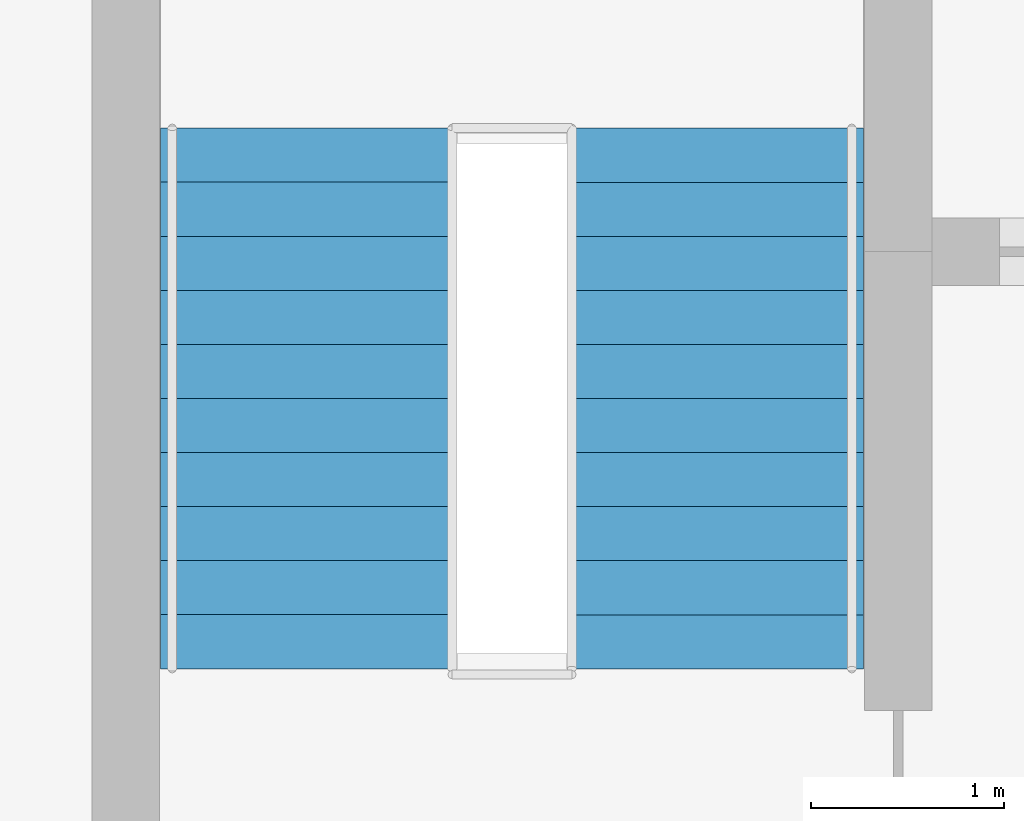
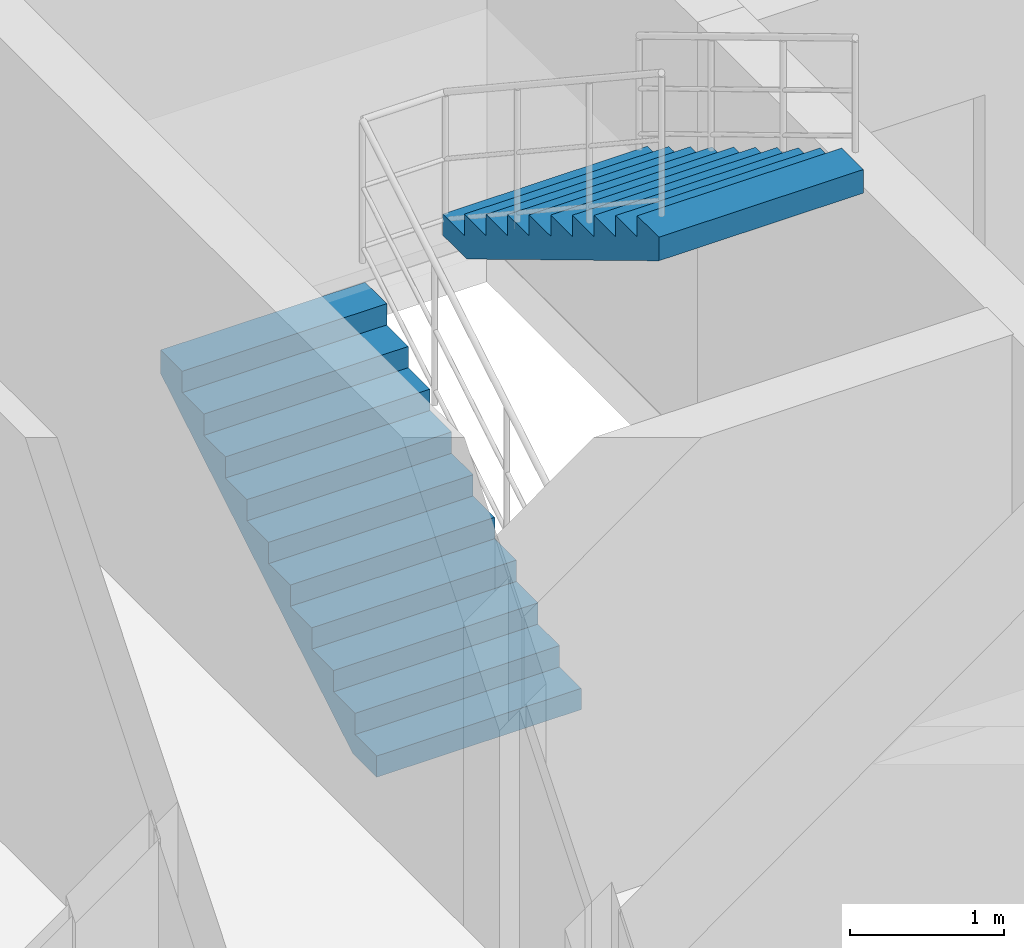
# One storey, part 31 of 32: 2 stair flights, 1 element without a shape of its own.
"""IFC4 building model written with IfcOpenShell, lengths in metres."""

from ifc_helpers import new_model, si_unit, direction, frame, origin, place, context, subcontext, project, spatial, polyline, outline, extrude, material, type_object, element, aggregate, save


model = new_model("IFC4")

# Units and contexts
model_context = context("Model", 3, precision=1e-05, world=origin(), true_north=direction((0.0, 1.0)))
body_context = subcontext(model_context, "Body", "Model", "MODEL_VIEW")
ifc_project = project(units=[si_unit("LENGTHUNIT", "METRE"), si_unit("AREAUNIT", "SQUARE_METRE"), si_unit("VOLUMEUNIT", "CUBIC_METRE"), si_unit("PLANEANGLEUNIT", "RADIAN"), si_unit("MASSUNIT", "GRAM", prefix="KILO")], contexts=[model_context])

# Site, building, storey
site_placement = place(None, origin())
site = spatial("IfcSite", under=ifc_project, at=site_placement, CompositionType="ELEMENT")
building_placement = place(site_placement, origin())
building = spatial("IfcBuilding", under=site, at=building_placement, Name="Keshet Zoharim Tower", CompositionType="ELEMENT")
storey_placement = place(building_placement, frame((0.0, 0.0, 137.199951171875)))
storey = spatial("IfcBuildingStorey", under=building, at=storey_placement, Name="L33", CompositionType="ELEMENT", Elevation=137.199951171875)

# Stair, stair flights
ifc_material = material(Name="Concrete C50/60", Category="concrete")
stair_type = type_object("IfcStairType", Name="STR-EXIT-135", PredefinedType="HALF_TURN_STAIR", material=ifc_material)
stair_placement = place(storey_placement, origin())
stair = element("IfcStair", 1, at=stair_placement, inside=storey, type_object=stair_type, Name="L33 Enclosed Exit Stair ST-02", PredefinedType="HALF_TURN_STAIR")
stair_flight_type = type_object("IfcStairFlightType", Name="FLT-PRE-135", PredefinedType="STRAIGHT", material=ifc_material)
stair_flight_1_placement = place(storey_placement, frame((15.945068359375, 32.840087890625, 0.0), z_axis=(0.0, 0.0, 1.0), x_axis=(0.0, 1.0, 0.0)))
stair_flight_1 = element("IfcStairFlight", 2, at=stair_flight_1_placement, type_object=stair_flight_type, Name="ST-02 flight 1", NumberOfRisers=11, NumberOfTreads=10, PredefinedType="STRAIGHT", RiserHeight=0.168182, TreadLength=0.28, context=body_context, shape_type="SweptSolid", body=[
    extrude(outline(polyline([(0.0, 0.0), (0.0, 0.168212890625), (0.280029296875, 0.168212890625), (0.280029296875, 0.33642578125), (0.56005859375, 0.33642578125), (0.56005859375, 0.504638671875), (0.840087890625, 0.504638671875), (0.840087890625, 0.672607421875), (1.1201171875, 0.672607421875), (1.1201171875, 0.8408203125), (1.39990234375, 0.8408203125), (1.39990234375, 1.009033203125), (1.679931640625, 1.009033203125), (1.679931640625, 1.17724609375), (1.9599609375, 1.17724609375), (1.9599609375, 1.345458984375), (2.239990234375, 1.345458984375), (2.239990234375, 1.513671875), (2.52001953125, 1.513671875), (2.52001953125, 1.681884765625), (2.800048828125, 1.681884765625), (2.800048828125, 1.85009765625), (2.800048828125, 1.495361328125), (0.310546875, 0.0), (0.0, 0.0)])), frame((0.0, 0.76513671875, 0.0), z_axis=(0.0, -1.0, 0.0), x_axis=(1.0, 0.0, 0.0)), (0.0, 0.0, 1.0), 1.530029296875),
])
stair_flight_2_placement = place(storey_placement, frame((18.054931640625, 35.639892578125, 1.85009765625), z_axis=(0.0, 0.0, 1.0), x_axis=(0.0, -1.0, 0.0)))
stair_flight_2 = element("IfcStairFlight", 3, at=stair_flight_2_placement, type_object=stair_flight_type, Name="ST-02 flight 2", NumberOfRisers=11, NumberOfTreads=10, PredefinedType="STRAIGHT", RiserHeight=0.168182, TreadLength=0.28, context=body_context, shape_type="SweptSolid", body=[
    extrude(outline(polyline([(0.0, 0.0), (0.0, 0.168212890625), (0.280029296875, 0.168212890625), (0.280029296875, 0.33642578125), (0.56005859375, 0.33642578125), (0.56005859375, 0.504638671875), (0.840087890625, 0.504638671875), (0.840087890625, 0.672607421875), (1.1201171875, 0.672607421875), (1.1201171875, 0.8408203125), (1.39990234375, 0.8408203125), (1.39990234375, 1.009033203125), (1.679931640625, 1.009033203125), (1.679931640625, 1.17724609375), (1.9599609375, 1.17724609375), (1.9599609375, 1.345458984375), (2.239990234375, 1.345458984375), (2.239990234375, 1.513671875), (2.52001953125, 1.513671875), (2.52001953125, 1.681884765625), (2.800048828125, 1.681884765625), (2.800048828125, 1.85009765625), (2.800048828125, 1.495361328125), (0.310546875, 0.0), (0.0, 0.0)])), frame((0.0, 0.76513671875, 0.0), z_axis=(0.0, -1.0, 0.0), x_axis=(1.0, 0.0, 0.0)), (0.0, 0.0, 1.0), 1.530029296875),
])
aggregate(stair, [stair_flight_1, stair_flight_2])

save(model, "model.ifc")
